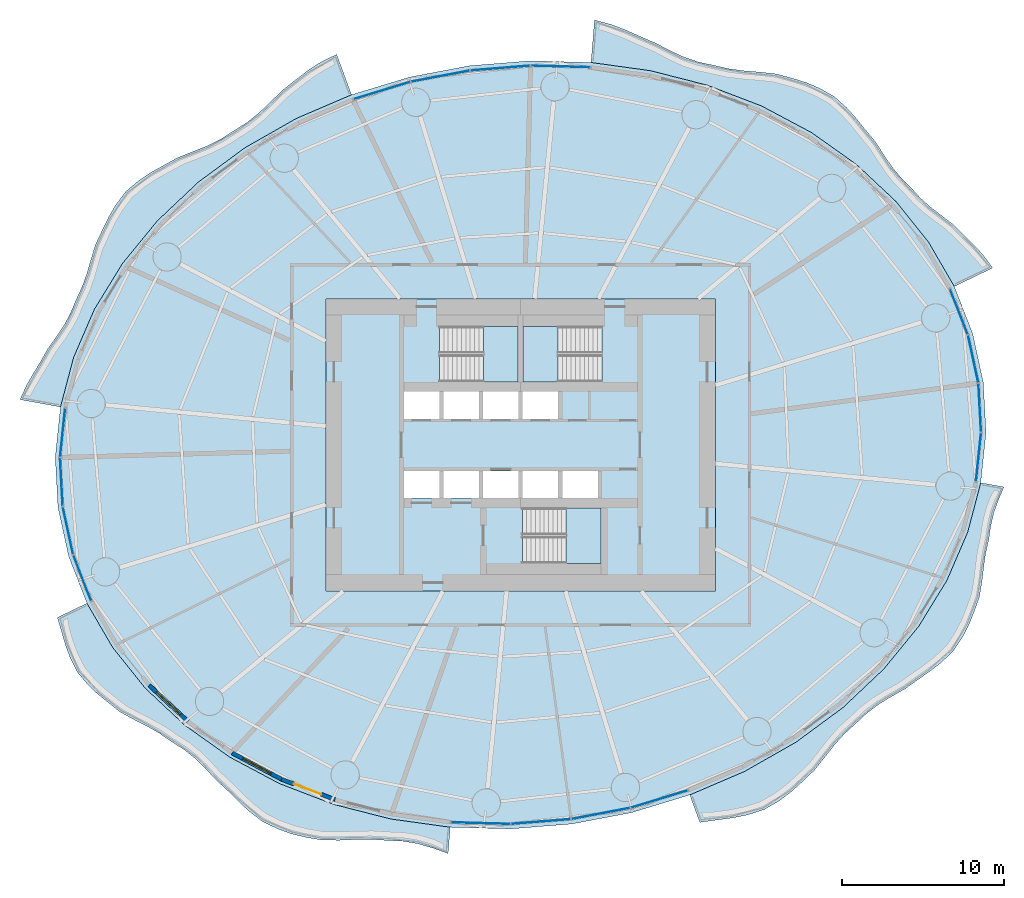
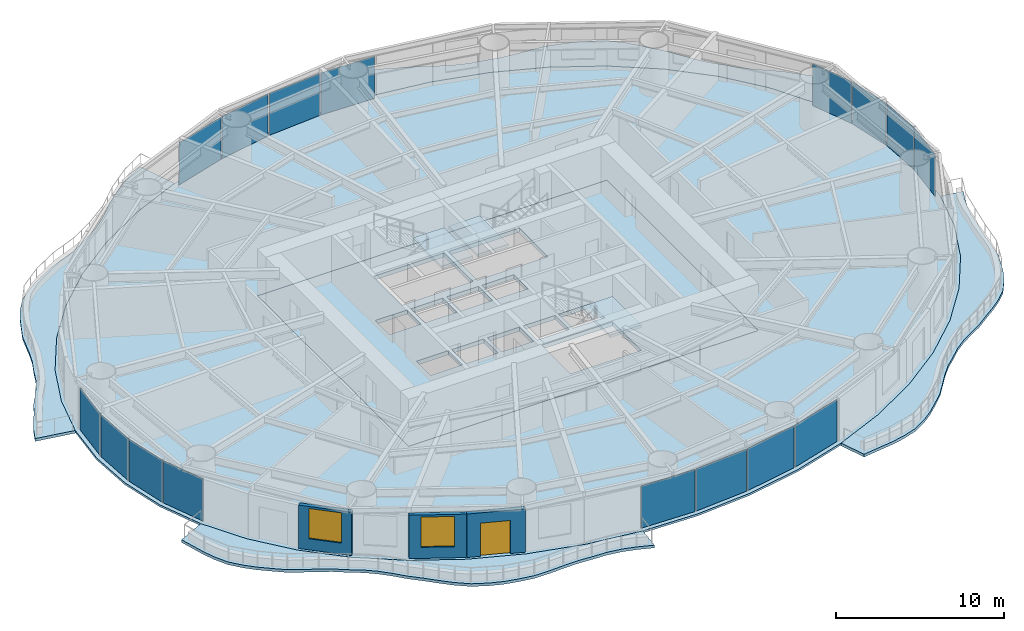
# One storey, part 7 of 16: 16 plates, 9 slabs, 3 walls, 2 windows, 1 door, 3 openings, 19 elements without a shape of their own.
"""IFC4 building model written with IfcOpenShell, lengths in metres."""

import ifcopenshell
import ifcopenshell.guid

model = None  # the IFC model being written
_history = None  # IfcOwnerHistory: only IFC2X3 demands one
_inside = {}  # id of a spatial element -> (the spatial element, [elements in it])
_under = {}  # id of a project, library or spatial element -> (it, [spatial elements below it])
_declared = {}  # id of a project -> (the project, [libraries it declares])
_typed = {}  # id of a type object -> (the type object, [elements of that type])
_made_of = {}  # id of a material, layer set ... -> (it, [elements and type objects made of it])


def new_model(schema):
    """Start an empty IFC model of exactly this schema.

    Asked for "IFC4X3", IfcOpenShell would pick the latest addendum, in which some entities
    have other attributes; the version numbers below select the first issue.
    IFC2X3 requires an IfcOwnerHistory on every rooted entity: one is made here for all.
    """
    global model, _history
    if schema == "IFC4X3":
        model = ifcopenshell.file(schema_version=(4, 3, 0, 0))
    else:
        model = ifcopenshell.file(schema=schema)
    _inside.clear()
    _under.clear()
    _declared.clear()
    _typed.clear()
    _made_of.clear()
    _history = None
    if model.schema == "IFC2X3":
        org = make("IfcOrganization", Name="unknown")
        user = make(
            "IfcPersonAndOrganization",
            ThePerson=make("IfcPerson", FamilyName="unknown"),
            TheOrganization=org,
        )
        app = make(
            "IfcApplication",
            ApplicationDeveloper=org,
            Version="unknown",
            ApplicationFullName="unknown",
            ApplicationIdentifier="unknown",
        )
        _history = make(
            "IfcOwnerHistory",
            OwningUser=user,
            OwningApplication=app,
            ChangeAction="ADDED",
            CreationDate=0,
        )
    return model


def make(cls, **values):
    """One entity of the class cls with the attributes given. An attribute that is None is left unset."""
    return model.create_entity(
        cls, **{name: value for name, value in values.items() if value is not None}
    )


def rooted(cls, **values):
    """An entity with a GlobalId (a new one), such as an element, a storey or a relation."""
    return make(cls, GlobalId=ifcopenshell.guid.new(), OwnerHistory=_history, **values)


def si_unit(unit_type, name, prefix=None):
    """IfcSIUnit, for example si_unit("LENGTHUNIT", "METRE", prefix="MILLI")."""
    return make("IfcSIUnit", UnitType=unit_type, Prefix=prefix, Name=name)


def assignment(units):
    """IfcUnitAssignment: the units of a project."""
    return None if units is None else make("IfcUnitAssignment", Units=units)


def point(xyz):
    """IfcCartesianPoint."""
    return None if xyz is None else make("IfcCartesianPoint", Coordinates=xyz)


def direction(xyz):
    """IfcDirection."""
    return None if xyz is None else make("IfcDirection", DirectionRatios=xyz)


def frame(location, z_axis=None, x_axis=None):
    """IfcAxis2Placement3D, a coordinate frame: its origin and axes. An axis left out is left unset."""
    return make(
        "IfcAxis2Placement3D",
        Location=point(location),
        Axis=direction(z_axis),
        RefDirection=direction(x_axis),
    )


def frame_2d(location, x_axis=None):
    """IfcAxis2Placement2D, a coordinate frame in the plane: its origin and x axis."""
    return make(
        "IfcAxis2Placement2D", Location=point(location), RefDirection=direction(x_axis)
    )


def origin():
    """The frame at (0, 0, 0) with its axes left unset."""
    return frame((0.0, 0.0, 0.0))


def origin_2d():
    """The frame at (0, 0) in the plane with its x axis left unset."""
    return frame_2d((0.0, 0.0))


def place(relative_to, where):
    """IfcLocalPlacement: puts the frame where relative to a parent placement (None: the world)."""
    return make(
        "IfcLocalPlacement", PlacementRelTo=relative_to, RelativePlacement=where
    )


def context(
    kind, dimensions, precision=None, world=None, true_north=None, identifier=None
):
    """IfcGeometricRepresentationContext, for example the 3D "Model" context."""
    return make(
        "IfcGeometricRepresentationContext",
        ContextIdentifier=identifier,
        ContextType=kind,
        CoordinateSpaceDimension=dimensions,
        Precision=precision,
        WorldCoordinateSystem=world,
        TrueNorth=true_north,
    )


def subcontext(parent, identifier, kind, view, scale=None):
    """IfcGeometricRepresentationSubContext, for example "Body" below "Model"."""
    return make(
        "IfcGeometricRepresentationSubContext",
        ContextIdentifier=identifier,
        ContextType=kind,
        ParentContext=parent,
        TargetScale=scale,
        TargetView=view,
    )


def project(units=None, contexts=None):
    """IfcProject with its units and contexts."""
    return rooted(
        "IfcProject",
        Name="project",
        RepresentationContexts=contexts,
        UnitsInContext=assignment(units),
    )


def spatial(cls, under=None, at=None, **own):
    """A site, building, storey or space (cls), placed at a placement, below another one or the project."""
    s = rooted(cls, ObjectPlacement=at, **own)
    if under is not None:
        _under.setdefault(under.id(), (under, []))[1].append(s)
    return s


def polyline(points):
    """IfcPolyline through the points."""
    return make("IfcPolyline", Points=[point(p) for p in points])


def profile(cls, at=None, kind="AREA", **sizes):
    """A parametric profile (cls). Its sizes go by their IFC names, for example OverallWidth=200.0."""
    return make(cls, ProfileType=kind, Position=at, **sizes)


def rectangle(**sizes):
    """IfcRectangleProfileDef."""
    return profile("IfcRectangleProfileDef", **sizes)


def outline(outer, holes=None, kind="AREA"):
    """IfcArbitraryClosedProfileDef: a profile drawn as a closed curve; with holes, ...WithVoids."""
    if holes is None:
        return make("IfcArbitraryClosedProfileDef", ProfileType=kind, OuterCurve=outer)
    return make(
        "IfcArbitraryProfileDefWithVoids",
        ProfileType=kind,
        OuterCurve=outer,
        InnerCurves=holes,
    )


def extrude(swept, where, along, depth):
    """IfcExtrudedAreaSolid: the profile swept, set in the frame where, extruded along a direction by depth."""
    return make(
        "IfcExtrudedAreaSolid",
        SweptArea=swept,
        Position=where,
        ExtrudedDirection=direction(along),
        Depth=depth,
    )


def shape(context_of_items, identifier, shape_type, items):
    """IfcShapeRepresentation: the items that make up one representation, for example the "Body"."""
    return make(
        "IfcShapeRepresentation",
        ContextOfItems=context_of_items,
        RepresentationIdentifier=identifier,
        RepresentationType=shape_type,
        Items=items,
    )


def material(Name=None, Category=None):
    """IfcMaterial."""
    return make("IfcMaterial", Name=Name, Category=Category)


def layer(
    of_material, thickness, ventilated=None, Name=None, Category=None, Priority=None
):
    """IfcMaterialLayer: one layer of a wall or slab, of a material (None: an air gap)."""
    return make(
        "IfcMaterialLayer",
        Material=of_material,
        LayerThickness=thickness,
        IsVentilated=ventilated,
        Name=Name,
        Category=Category,
        Priority=Priority,
    )


def layer_set(layers, Name=None):
    """IfcMaterialLayerSet."""
    return make("IfcMaterialLayerSet", MaterialLayers=layers, LayerSetName=Name)


def made_of(thing, what):
    """Note that an element or type object is made of a material, layer set ...; save() writes the relation."""
    if what is not None:
        _made_of.setdefault(what.id(), (what, []))[1].append(thing)
    return thing


def type_object(cls, material=None, **own):
    """A type object (cls), such as IfcWallType, which elements share."""
    return made_of(rooted(cls, **own), material)


def element(
    cls,
    number,
    at=None,
    inside=None,
    cuts=None,
    type_object=None,
    material=None,
    context=None,
    identifier="Body",
    shape_type=None,
    held_by="IfcProductDefinitionShape",
    body=None,
    shapes=None,
    **own,
):
    """One element of the class cls, such as IfcWall. Its Tag is "e" and its number.

    at: its placement. inside: the storey or other place that contains it. cuts: it is an
    opening in that element (IfcRelVoidsElement). A single representation is given by context,
    identifier, shape_type and body (its items); several are given by shapes. held_by: the class
    of the entity that holds the representations. save() writes the other relations.
    """
    e = rooted(cls, Tag="e%d" % number, ObjectPlacement=at, **own)
    if body is not None:
        shapes = [shape(context, identifier, shape_type, body)]
    if shapes is not None:
        e.Representation = make(held_by, Representations=shapes)
    if inside is not None:
        _inside.setdefault(inside.id(), (inside, []))[1].append(e)
    if cuts is not None:
        rooted(
            "IfcRelVoidsElement", RelatingBuildingElement=cuts, RelatedOpeningElement=e
        )
    if type_object is not None:
        _typed.setdefault(type_object.id(), (type_object, []))[1].append(e)
    return made_of(e, material)


def fill(opening, filler):
    """IfcRelFillsElement: the door or window that sits in an opening."""
    return rooted(
        "IfcRelFillsElement",
        RelatingOpeningElement=opening,
        RelatedBuildingElement=filler,
    )


def aggregate(whole, parts):
    """IfcRelAggregates: a whole, such as a stair, and the parts it consists of."""
    return rooted("IfcRelAggregates", RelatingObject=whole, RelatedObjects=parts)


def save(model, path):
    """Write the relations noted so far, then the file.

    IfcRelAggregates (storeys below a building ...), IfcRelContainedInSpatialStructure (elements
    in a storey), IfcRelDefinesByType, IfcRelAssociatesMaterial and IfcRelDeclares: one each for
    every whole, place, type object, material and project.
    """
    for whole, parts in _under.values():
        aggregate(whole, parts)
    for where, things in _inside.values():
        rooted(
            "IfcRelContainedInSpatialStructure",
            RelatedElements=things,
            RelatingStructure=where,
        )
    for kind, things in _typed.values():
        rooted("IfcRelDefinesByType", RelatedObjects=things, RelatingType=kind)
    for what, things in _made_of.values():
        rooted("IfcRelAssociatesMaterial", RelatedObjects=things, RelatingMaterial=what)
    for by, libraries in _declared.values():
        rooted("IfcRelDeclares", RelatingContext=by, RelatedDefinitions=libraries)
    model.write(path)


model = new_model("IFC4")

# Units and contexts
model_context = context("Model", 3, precision=1e-05, world=origin(), true_north=direction((0.0, 1.0)))
body_context = subcontext(model_context, "Body", "Model", "MODEL_VIEW")
ifc_project = project(units=[si_unit("LENGTHUNIT", "METRE"), si_unit("AREAUNIT", "SQUARE_METRE"), si_unit("VOLUMEUNIT", "CUBIC_METRE"), si_unit("PLANEANGLEUNIT", "RADIAN"), si_unit("MASSUNIT", "GRAM", prefix="KILO")], contexts=[model_context])

# Site, building, storey
site_placement = place(None, origin())
site = spatial("IfcSite", under=ifc_project, at=site_placement, CompositionType="ELEMENT")
building_placement = place(site_placement, origin())
building = spatial("IfcBuilding", under=site, at=building_placement, Name="Vermilion Reach Broadcast Tower", CompositionType="ELEMENT")
storey_placement = place(building_placement, frame((0.0, 0.0, 65.60009765625)))
storey = spatial("IfcBuildingStorey", under=building, at=storey_placement, Name="L13", CompositionType="ELEMENT", Elevation=65.60009765625)

# Slabs
ifc_material_1 = material(Name="Concrete C40/50", Category="concrete")
ifc_layer_1 = layer(ifc_material_1, 0.199951171875)
ifc_layer_set_1 = layer_set([ifc_layer_1], Name="Balcony slab 200")
slab_type_1 = type_object("IfcSlabType", Name="Balcony slab 200", PredefinedType="FLOOR", material=ifc_layer_set_1)
placement_1 = place(storey_placement, frame((0.0, 0.0, -0.2001953125)))
element("IfcSlab", 1, at=placement_1, inside=storey, type_object=slab_type_1, Name="Balcony slab L13 group 1", PredefinedType="FLOOR", context=body_context, shape_type="SweptSolid", body=[
    extrude(outline(polyline([(20.718505859375, 9.758544921875), (19.1298828125, 12.490234375), (17.111083984375, 15.008056640625), (14.697021484375, 17.269287109375), (11.9287109375, 19.23486328125), (8.853759765625, 20.871337890625), (5.524658203125, 22.15087890625), (1.998291015625, 23.05126953125), (-1.664794921875, 23.55712890625), (-1.44873046875, 26.1748046875), (-0.407958984375, 25.8994140625), (0.47802734375, 25.557861328125), (1.35693359375, 25.164306640625), (2.3310546875, 24.748779296875), (3.248046875, 24.267822265625), (4.088134765625, 23.88037109375), (4.95263671875, 23.588134765625), (5.9169921875, 23.38232421875), (6.869384765625, 23.164306640625), (7.779296875, 23.046142578125), (8.705322265625, 22.970703125), (9.758056640625, 22.853515625), (10.752197265625, 22.5849609375), (11.598388671875, 22.3212890625), (12.4033203125, 21.97998046875), (13.310302734375, 21.4716796875), (14.073486328125, 20.7890625), (14.6552734375, 20.142333984375), (15.2080078125, 19.454833984375), (15.851318359375, 18.681884765625), (16.384521484375, 17.861328125), (16.85986328125, 17.1591796875), (17.3837890625, 16.5087890625), (18.031494140625, 15.8603515625), (18.636474609375, 15.19677734375), (19.2470703125, 14.65234375), (19.906005859375, 14.146484375), (20.682373046875, 13.55517578125), (21.35693359375, 12.87158203125), (21.9443359375, 12.299072265625), (22.4921875, 11.703857421875), (23.0849609375, 10.900146484375), (20.718505859375, 9.758544921875)])), origin(), (0.0, 0.0, 1.0), 0.2001953125),
])
element("IfcSlab", 2, at=placement_1, inside=storey, type_object=slab_type_1, Name="Balcony slab L13 group 2", PredefinedType="FLOOR", context=body_context, shape_type="SweptSolid", body=[
    extrude(outline(polyline([(-16.420166015625, 21.5673828125), (-19.818603515625, 20.109130859375), (-22.98046875, 18.306884765625), (-25.851806640625, 16.19140625), (-28.38330078125, 13.798828125), (-30.531982421875, 11.170166015625), (-32.260986328125, 8.350341796875), (-33.54052734375, 5.387451171875), (-34.348876953125, 2.332763671875), (-36.843505859375, 2.790283203125), (-36.4296875, 3.700439453125), (-36.019287109375, 4.408935546875), (-35.58642578125, 5.111572265625), (-35.12646484375, 5.9365234375), (-34.569091796875, 6.710693359375), (-34.115478515625, 7.3935546875), (-33.732177734375, 8.10693359375), (-33.3916015625, 8.937255859375), (-33.0, 9.773193359375), (-32.718994140625, 10.571044921875), (-32.48193359375, 11.3955078125), (-32.19140625, 12.348876953125), (-31.7578125, 13.268310546875), (-31.376953125, 14.05322265625), (-30.940673828125, 14.792724609375), (-30.3271484375, 15.607666015625), (-29.531494140625, 16.281494140625), (-28.796630859375, 16.771728515625), (-28.01318359375, 17.210693359375), (-27.115478515625, 17.703857421875), (-26.142578125, 18.08935546875), (-25.28857421875, 18.433349609375), (-24.47705078125, 18.835205078125), (-23.663330078125, 19.357177734375), (-22.830810546875, 19.882080078125), (-22.112548828125, 20.459228515625), (-21.43359375, 21.105224609375), (-20.681640625, 21.843994140625), (-19.840576171875, 22.505126953125), (-19.083251953125, 23.0849609375), (-18.294677734375, 23.591552734375), (-17.331298828125, 24.06005859375), (-16.420166015625, 21.5673828125)])), origin(), (0.0, 0.0, 1.0), 0.2001953125),
])
element("IfcSlab", 3, at=placement_1, inside=storey, type_object=slab_type_1, Name="Balcony slab L13 group 3", PredefinedType="FLOOR", context=body_context, shape_type="SweptSolid", body=[
    extrude(outline(polyline([(-32.718505859375, -9.758544921875), (-31.1298828125, -12.490234375), (-29.111083984375, -15.008056640625), (-26.697021484375, -17.269287109375), (-23.9287109375, -19.23486328125), (-20.853759765625, -20.871337890625), (-17.524658203125, -22.15087890625), (-13.998291015625, -23.05126953125), (-10.335205078125, -23.55712890625), (-10.46923828125, -25.181640625), (-11.44384765625, -24.8271484375), (-12.341552734375, -24.570556640625), (-13.254150390625, -24.4208984375), (-14.257080078125, -24.371337890625), (-15.257080078125, -24.3037109375), (-16.2001953125, -24.319091796875), (-17.14990234375, -24.361083984375), (-18.226806640625, -24.354736328125), (-19.25732421875, -24.174072265625), (-20.1318359375, -23.963623046875), (-20.969970703125, -23.658935546875), (-21.916748046875, -23.201171875), (-22.7421875, -22.56591796875), (-23.400390625, -21.94921875), (-24.045654296875, -21.307861328125), (-24.78759765625, -20.62548828125), (-25.447021484375, -19.906982421875), (-26.062255859375, -19.30712890625), (-26.728759765625, -18.77978515625), (-27.52197265625, -18.27880859375), (-28.28173828125, -17.75146484375), (-29.0224609375, -17.33251953125), (-29.790771484375, -16.943115234375), (-30.676025390625, -16.45703125), (-31.44921875, -15.848388671875), (-32.08935546875, -15.32763671875), (-32.674560546875, -14.7626953125), (-33.318603515625, -13.99169921875), (-33.760498046875, -13.106201171875), (-34.038818359375, -12.35400390625), (-34.266357421875, -11.57275390625), (-34.542236328125, -10.63818359375), (-32.718505859375, -9.758544921875)])), origin(), (0.0, 0.0, 1.0), 0.2001953125),
])
element("IfcSlab", 4, at=placement_1, inside=storey, type_object=slab_type_1, Name="Balcony slab L13 group 4", PredefinedType="FLOOR", context=body_context, shape_type="SweptSolid", body=[
    extrude(outline(polyline([(4.420166015625, -21.5673828125), (7.818603515625, -20.109130859375), (10.98046875, -18.306884765625), (13.851806640625, -16.19140625), (16.38330078125, -13.798828125), (18.531982421875, -11.170166015625), (20.260986328125, -8.350341796875), (21.54052734375, -5.387451171875), (22.348876953125, -2.332763671875), (23.779541015625, -2.594970703125), (23.417236328125, -3.4326171875), (23.15576171875, -4.180419921875), (22.9736328125, -4.949462890625), (22.84228515625, -5.838134765625), (22.639892578125, -6.7412109375), (22.523681640625, -7.56982421875), (22.427978515625, -8.4072265625), (22.26171875, -9.388916015625), (21.919921875, -10.33740234375), (21.6064453125, -11.115234375), (21.22265625, -11.849853515625), (20.669677734375, -12.6884765625), (19.925048828125, -13.40478515625), (19.2353515625, -13.9375), (18.509521484375, -14.4404296875), (17.699951171875, -15.02392578125), (16.81689453125, -15.525390625), (16.056640625, -15.98876953125), (15.353515625, -16.512451171875), (14.661376953125, -17.160400390625), (13.939208984375, -17.813232421875), (13.33154296875, -18.49169921875), (12.759765625, -19.218994140625), (12.10546875, -20.037109375), (11.33837890625, -20.772216796875), (10.6474609375, -21.397705078125), (9.912841796875, -21.946044921875), (8.99609375, -22.475830078125), (7.968994140625, -22.80419921875), (7.04150390625, -22.987548828125), (6.089599609375, -23.11328125), (5.03857421875, -23.25927734375), (4.420166015625, -21.5673828125)])), origin(), (0.0, 0.0, 1.0), 0.2001953125),
])
ifc_material_2 = material(Name="Concrete C40", Category="concrete")
ifc_layer_2 = layer(ifc_material_2, 0.300048828125)
ifc_layer_set_2 = layer_set([ifc_layer_2], Name="Core floor slab 300 mm Concrete C40")
slab_type_2 = type_object("IfcSlabType", Name="Core floor slab 300 mm Concrete C40", PredefinedType="FLOOR", material=ifc_layer_set_2)
slab_5_placement = place(storey_placement, frame((0.0, 0.0, -0.300048828125)))
element("IfcSlab", 5, at=slab_5_placement, inside=storey, type_object=slab_type_2, Name="L13 core floor", PredefinedType="FLOOR", context=body_context, shape_type="SweptSolid", body=[
    extrude(outline(polyline([(-18.0, -9.0), (6.0, -9.0), (6.0, 9.0), (-18.0, 9.0), (-18.0, -9.0)]), holes=[polyline([(-13.199951171875, 1.60009765625), (-11.00830078125, 1.60009765625), (-11.00830078125, 3.280029296875), (-13.199951171875, 3.280029296875), (-13.199951171875, 1.60009765625)]), polyline([(-10.75830078125, 1.60009765625), (-8.566650390625, 1.60009765625), (-8.566650390625, 3.280029296875), (-10.75830078125, 3.280029296875), (-10.75830078125, 1.60009765625)]), polyline([(-8.316650390625, 1.60009765625), (-6.125, 1.60009765625), (-6.125, 3.280029296875), (-8.316650390625, 3.280029296875), (-8.316650390625, 1.60009765625)]), polyline([(-5.875, 1.60009765625), (-3.683349609375, 1.60009765625), (-3.683349609375, 3.280029296875), (-5.875, 3.280029296875), (-5.875, 1.60009765625)]), polyline([(-13.199951171875, -3.280029296875), (-11.00830078125, -3.280029296875), (-11.00830078125, -1.60009765625), (-13.199951171875, -1.60009765625), (-13.199951171875, -3.280029296875)]), polyline([(-10.75830078125, -3.280029296875), (-8.566650390625, -3.280029296875), (-8.566650390625, -1.60009765625), (-10.75830078125, -1.60009765625), (-10.75830078125, -3.280029296875)]), polyline([(-8.316650390625, -3.280029296875), (-6.125, -3.280029296875), (-6.125, -1.60009765625), (-8.316650390625, -1.60009765625), (-8.316650390625, -3.280029296875)]), polyline([(-5.875, -3.280029296875), (-3.683349609375, -3.280029296875), (-3.683349609375, -1.60009765625), (-5.875, -1.60009765625), (-5.875, -3.280029296875)]), polyline([(-3.433349609375, -3.280029296875), (-1.24169921875, -3.280029296875), (-1.24169921875, -1.60009765625), (-3.433349609375, -1.60009765625), (-3.433349609375, -3.280029296875)]), polyline([(-10.999267578125, 3.8798828125), (-6.14990234375, 3.8798828125), (-6.14990234375, 7.300048828125), (-10.999267578125, 7.300048828125), (-10.999267578125, 3.8798828125)]), polyline([(-1.000732421875, 7.300048828125), (-5.85009765625, 7.300048828125), (-5.85009765625, 3.8798828125), (-1.000732421875, 3.8798828125), (-1.000732421875, 7.300048828125)]), polyline([(-5.8994140625, -7.300048828125), (-1.050048828125, -7.300048828125), (-1.050048828125, -3.8798828125), (-5.8994140625, -3.8798828125), (-5.8994140625, -7.300048828125)])]), origin(), (0.0, 0.0, 1.0), 0.300048828125),
])

# Stair, slab
ifc_material_3 = material(Name="Concrete C40", Category="concrete")
stair_type = type_object("IfcStairType", Name="Exit stair RC 22 risers 168 mm", PredefinedType="HALF_TURN_STAIR", material=ifc_material_3)
placement_2 = place(storey_placement, origin())
stair_1 = element("IfcStair", 6, at=placement_2, inside=storey, type_object=stair_type, Name="L13 Exit stair ST1", PredefinedType="HALF_TURN_STAIR")
ifc_material_4 = material(Name="Concrete C40", Category="concrete")
ifc_layer_3 = layer(ifc_material_4, 0.199951171875)
ifc_layer_set_3 = layer_set([ifc_layer_3], Name="Exit stair landing Concrete C40")
slab_type_3 = type_object("IfcSlabType", Name="Exit stair landing Concrete C40", PredefinedType="LANDING", material=ifc_layer_set_3)
placement_3 = place(storey_placement, frame((0.0, 0.0, 1.64990234375)))
slab_6 = element("IfcSlab", 7, at=placement_3, type_object=slab_type_3, Name="ST1 landing 1", PredefinedType="LANDING", context=body_context, shape_type="SweptSolid", body=[
    extrude(outline(polyline([(-8.300048828125, 3.8798828125), (-6.14990234375, 3.8798828125), (-6.14990234375, 7.300048828125), (-8.300048828125, 7.300048828125), (-8.300048828125, 3.8798828125)])), origin(), (0.0, 0.0, 1.0), 0.199951171875),
])
aggregate(stair_1, [slab_6])

stair_2 = element("IfcStair", 8, at=placement_2, inside=storey, type_object=stair_type, Name="L13 Exit stair ST2", PredefinedType="HALF_TURN_STAIR")
slab_7 = element("IfcSlab", 9, at=placement_3, type_object=slab_type_3, Name="ST2 landing 1", PredefinedType="LANDING", context=body_context, shape_type="SweptSolid", body=[
    extrude(outline(polyline([(-3.699951171875, 7.300048828125), (-5.85009765625, 7.300048828125), (-5.85009765625, 3.8798828125), (-3.699951171875, 3.8798828125), (-3.699951171875, 7.300048828125)])), origin(), (0.0, 0.0, 1.0), 0.199951171875),
])
aggregate(stair_2, [slab_7])

stair_3 = element("IfcStair", 10, at=placement_2, inside=storey, type_object=stair_type, Name="L13 Exit stair ST3", PredefinedType="HALF_TURN_STAIR")
slab_8 = element("IfcSlab", 11, at=placement_3, type_object=slab_type_3, Name="ST3 landing 1", PredefinedType="LANDING", context=body_context, shape_type="SweptSolid", body=[
    extrude(outline(polyline([(-3.199951171875, -7.300048828125), (-1.050048828125, -7.300048828125), (-1.050048828125, -3.8798828125), (-3.199951171875, -3.8798828125), (-3.199951171875, -7.300048828125)])), origin(), (0.0, 0.0, 1.0), 0.199951171875),
])
aggregate(stair_3, [slab_8])

# Slab
ifc_material_5 = material(Name="Concrete C40", Category="concrete")
ifc_layer_4 = layer(ifc_material_5, 0.14990234375)
ifc_layer_set_4 = layer_set([ifc_layer_4], Name="Floor slab Concrete C40 composite 150")
slab_type_4 = type_object("IfcSlabType", Name="Floor slab Concrete C40 composite 150", PredefinedType="FLOOR", material=ifc_layer_set_4)
slab_9_placement = place(storey_placement, frame((0.0, 0.0, -0.150146484375)))
element("IfcSlab", 12, at=slab_9_placement, inside=storey, type_object=slab_type_4, Name="Floor slab L13", PredefinedType="FLOOR", context=body_context, shape_type="SweptSolid", body=[
    extrude(outline(polyline([(22.505126953125, 3.843994140625), (21.85009765625, 6.85986328125), (20.718505859375, 9.758544921875), (19.1298828125, 12.490234375), (17.111083984375, 15.008056640625), (14.697021484375, 17.269287109375), (11.9287109375, 19.23486328125), (8.853759765625, 20.871337890625), (5.524658203125, 22.15087890625), (1.998291015625, 23.05126953125), (-1.664794921875, 23.55712890625), (-5.40234375, 23.66015625), (-9.14990234375, 23.358154296875), (-12.843505859375, 22.65673828125), (-16.420166015625, 21.5673828125), (-19.818603515625, 20.109130859375), (-22.98046875, 18.306884765625), (-25.851806640625, 16.19140625), (-28.38330078125, 13.798828125), (-30.531982421875, 11.170166015625), (-32.260986328125, 8.350341796875), (-33.54052734375, 5.387451171875), (-34.348876953125, 2.332763671875), (-34.67236328125, -0.76220703125), (-34.505126953125, -3.843994140625), (-33.85009765625, -6.85986328125), (-32.718505859375, -9.758544921875), (-31.1298828125, -12.490234375), (-29.111083984375, -15.008056640625), (-26.697021484375, -17.269287109375), (-23.9287109375, -19.23486328125), (-20.853759765625, -20.871337890625), (-17.524658203125, -22.15087890625), (-13.998291015625, -23.05126953125), (-10.335205078125, -23.55712890625), (-6.59765625, -23.66015625), (-2.85009765625, -23.358154296875), (0.843505859375, -22.65673828125), (4.420166015625, -21.5673828125), (7.818603515625, -20.109130859375), (10.98046875, -18.306884765625), (13.851806640625, -16.19140625), (16.38330078125, -13.798828125), (18.531982421875, -11.170166015625), (20.260986328125, -8.350341796875), (21.54052734375, -5.387451171875), (22.348876953125, -2.332763671875), (22.67236328125, 0.76220703125), (22.505126953125, 3.843994140625)]), holes=[polyline([(-18.0, -9.0), (6.0, -9.0), (6.0, 9.0), (-18.0, 9.0), (-18.0, -9.0)])]), origin(), (0.0, 0.0, 1.0), 0.150146484375),
])

# Curtain wall, plate
ifc_material_6 = material(Name="Low-e laminated clear glass in aluminium frame", Category="aluminium")
curtain_wall_type = type_object("IfcCurtainWallType", Name="Slot curtain wall", PredefinedType="NOTDEFINED", material=ifc_material_6)
curtain_wall_1 = element("IfcCurtainWall", 13, at=placement_2, inside=storey, type_object=curtain_wall_type, Name="Slot curtain wall L13 46", PredefinedType="NOTDEFINED")
ifc_material_7 = material(Name="Low-e laminated clear glass", Category="glass")
ifc_layer_5 = layer(ifc_material_7, 0.028076171875)
ifc_layer_set_5 = layer_set([ifc_layer_5], Name="Slot glass panel")
plate_type = type_object("IfcPlateType", Name="Slot glass panel", PredefinedType="CURTAIN_PANEL", material=ifc_layer_set_5)
plate_1_placement = place(storey_placement, frame((22.213134765625, -0.75439453125, 0.0), z_axis=(0.0, 0.0, 1.0), x_axis=(0.103912541932, 0.99458643849, 0.0)))
plate_1 = element("IfcPlate", 14, at=plate_1_placement, type_object=plate_type, Name="Slot glass panel L13 46", PredefinedType="CURTAIN_PANEL", context=body_context, shape_type="SweptSolid", body=[
    extrude(rectangle(XDim=2.984619140625, YDim=0.028076171875, at=origin_2d()), origin(), (0.0, 0.0, 1.0), 3.050048828125),
])
aggregate(curtain_wall_1, [plate_1])

curtain_wall_2 = element("IfcCurtainWall", 15, at=placement_2, inside=storey, type_object=curtain_wall_type, Name="Slot curtain wall L13 47", PredefinedType="NOTDEFINED")
plate_2_placement = place(storey_placement, frame((22.2900390625, 2.286865234375, 0.0), z_axis=(0.0, 0.0, 1.0), x_axis=(-0.05419659539, 0.998530284492, 0.0)))
plate_2 = element("IfcPlate", 16, at=plate_2_placement, type_object=plate_type, Name="Slot glass panel L13 47", PredefinedType="CURTAIN_PANEL", context=body_context, shape_type="SweptSolid", body=[
    extrude(rectangle(XDim=2.95849609375, YDim=0.028076171875, at=origin_2d()), origin(), (0.0, 0.0, 1.0), 3.050048828125),
])
aggregate(curtain_wall_2, [plate_2])

curtain_wall_3 = element("IfcCurtainWall", 17, at=placement_2, inside=storey, type_object=curtain_wall_type, Name="Slot curtain wall L13 00", PredefinedType="NOTDEFINED")
plate_3_placement = place(storey_placement, frame((21.88525390625, 5.28857421875, 0.0), z_axis=(0.0, 0.0, 1.0), x_axis=(-0.21223289021, 0.977219115814, 0.0)))
plate_3 = element("IfcPlate", 18, at=plate_3_placement, type_object=plate_type, Name="Slot glass panel L13 00", PredefinedType="CURTAIN_PANEL", context=body_context, shape_type="SweptSolid", body=[
    extrude(rectangle(XDim=2.95849609375, YDim=0.028076171875, at=origin_2d()), origin(), (0.0, 0.0, 1.0), 3.050048828125),
])
aggregate(curtain_wall_3, [plate_3])

curtain_wall_4 = element("IfcCurtainWall", 19, at=placement_2, inside=storey, type_object=curtain_wall_type, Name="Slot curtain wall L13 01", PredefinedType="NOTDEFINED")
plate_4_placement = place(storey_placement, frame((21.005615234375, 8.200439453125, 0.0), z_axis=(0.0, 0.0, 1.0), x_axis=(-0.363650069111, 0.931535628538, 0.0)))
plate_4 = element("IfcPlate", 20, at=plate_4_placement, type_object=plate_type, Name="Slot glass panel L13 01", PredefinedType="CURTAIN_PANEL", context=body_context, shape_type="SweptSolid", body=[
    extrude(rectangle(XDim=2.984619140625, YDim=0.028076171875, at=origin_2d()), origin(), (0.0, 0.0, 1.0), 3.050048828125),
])
aggregate(curtain_wall_4, [plate_4])

curtain_wall_5 = element("IfcCurtainWall", 21, at=placement_2, inside=storey, type_object=curtain_wall_type, Name="Slot curtain wall L13 10", PredefinedType="NOTDEFINED")
plate_5_placement = place(storey_placement, frame((-3.5419921875, 23.309326171875, 0.0), z_axis=(0.0, 0.0, 1.0), x_axis=(-0.999620983374, 0.027529794754, 0.0)))
plate_5 = element("IfcPlate", 22, at=plate_5_placement, type_object=plate_type, Name="Slot glass panel L13 10", PredefinedType="CURTAIN_PANEL", context=body_context, shape_type="SweptSolid", body=[
    extrude(rectangle(XDim=3.626220703125, YDim=0.028076171875, at=origin_2d()), origin(), (0.0, 0.0, 1.0), 3.050048828125),
])
aggregate(curtain_wall_5, [plate_5])

curtain_wall_6 = element("IfcCurtainWall", 23, at=placement_2, inside=storey, type_object=curtain_wall_type, Name="Slot curtain wall L13 11", PredefinedType="NOTDEFINED")
plate_6_placement = place(storey_placement, frame((-7.251953125, 23.210693359375, 0.0), z_axis=(0.0, 0.0, 1.0), x_axis=(-0.996770942419, -0.080297499025, 0.0)))
plate_6 = element("IfcPlate", 24, at=plate_6_placement, type_object=plate_type, Name="Slot glass panel L13 11", PredefinedType="CURTAIN_PANEL", context=body_context, shape_type="SweptSolid", body=[
    extrude(rectangle(XDim=3.6474609375, YDim=0.028076171875, at=origin_2d()), origin(), (0.0, 0.0, 1.0), 3.050048828125),
])
aggregate(curtain_wall_6, [plate_6])

curtain_wall_7 = element("IfcCurtainWall", 25, at=placement_2, inside=storey, type_object=curtain_wall_type, Name="Slot curtain wall L13 12", PredefinedType="NOTDEFINED")
plate_7_placement = place(storey_placement, frame((-10.940673828125, 22.713134765625, 0.0), z_axis=(0.0, 0.0, 1.0), x_axis=(-0.982436283901, -0.186598360321, 0.0)))
plate_7 = element("IfcPlate", 26, at=plate_7_placement, type_object=plate_type, Name="Slot glass panel L13 12", PredefinedType="CURTAIN_PANEL", context=body_context, shape_type="SweptSolid", body=[
    extrude(rectangle(XDim=3.6474609375, YDim=0.028076171875, at=origin_2d()), origin(), (0.0, 0.0, 1.0), 3.050048828125),
])
aggregate(curtain_wall_7, [plate_7])

curtain_wall_8 = element("IfcCurtainWall", 27, at=placement_2, inside=storey, type_object=curtain_wall_type, Name="Slot curtain wall L13 13", PredefinedType="NOTDEFINED")
plate_8_placement = place(storey_placement, frame((-14.54443359375, 21.825439453125, 0.0), z_axis=(0.0, 0.0, 1.0), x_axis=(-0.956622935549, -0.291328953559, 0.0)))
plate_8 = element("IfcPlate", 28, at=plate_8_placement, type_object=plate_type, Name="Slot glass panel L13 13", PredefinedType="CURTAIN_PANEL", context=body_context, shape_type="SweptSolid", body=[
    extrude(rectangle(XDim=3.626220703125, YDim=0.028076171875, at=origin_2d()), origin(), (0.0, 0.0, 1.0), 3.050048828125),
])
aggregate(curtain_wall_8, [plate_8])

curtain_wall_9 = element("IfcCurtainWall", 29, at=placement_2, inside=storey, type_object=curtain_wall_type, Name="Slot curtain wall L13 22", PredefinedType="NOTDEFINED")
plate_9_placement = place(storey_placement, frame((-34.213134765625, 0.75439453125, 0.0), z_axis=(0.0, 0.0, 1.0), x_axis=(-0.103912541932, -0.99458643849, 0.0)))
plate_9 = element("IfcPlate", 30, at=plate_9_placement, type_object=plate_type, Name="Slot glass panel L13 22", PredefinedType="CURTAIN_PANEL", context=body_context, shape_type="SweptSolid", body=[
    extrude(rectangle(XDim=2.984619140625, YDim=0.028076171875, at=origin_2d()), origin(), (0.0, 0.0, 1.0), 3.050048828125),
])
aggregate(curtain_wall_9, [plate_9])

curtain_wall_10 = element("IfcCurtainWall", 31, at=placement_2, inside=storey, type_object=curtain_wall_type, Name="Slot curtain wall L13 23", PredefinedType="NOTDEFINED")
plate_10_placement = place(storey_placement, frame((-34.2900390625, -2.286865234375, 0.0), z_axis=(0.0, 0.0, 1.0), x_axis=(0.05419659539, -0.998530284492, 0.0)))
plate_10 = element("IfcPlate", 32, at=plate_10_placement, type_object=plate_type, Name="Slot glass panel L13 23", PredefinedType="CURTAIN_PANEL", context=body_context, shape_type="SweptSolid", body=[
    extrude(rectangle(XDim=2.95849609375, YDim=0.028076171875, at=origin_2d()), origin(), (0.0, 0.0, 1.0), 3.050048828125),
])
aggregate(curtain_wall_10, [plate_10])

curtain_wall_11 = element("IfcCurtainWall", 33, at=placement_2, inside=storey, type_object=curtain_wall_type, Name="Slot curtain wall L13 24", PredefinedType="NOTDEFINED")
plate_11_placement = place(storey_placement, frame((-33.88525390625, -5.28857421875, 0.0), z_axis=(0.0, 0.0, 1.0), x_axis=(0.21223289021, -0.977219115814, 0.0)))
plate_11 = element("IfcPlate", 34, at=plate_11_placement, type_object=plate_type, Name="Slot glass panel L13 24", PredefinedType="CURTAIN_PANEL", context=body_context, shape_type="SweptSolid", body=[
    extrude(rectangle(XDim=2.95849609375, YDim=0.028076171875, at=origin_2d()), origin(), (0.0, 0.0, 1.0), 3.050048828125),
])
aggregate(curtain_wall_11, [plate_11])

curtain_wall_12 = element("IfcCurtainWall", 35, at=placement_2, inside=storey, type_object=curtain_wall_type, Name="Slot curtain wall L13 25", PredefinedType="NOTDEFINED")
plate_12_placement = place(storey_placement, frame((-33.005615234375, -8.200439453125, 0.0), z_axis=(0.0, 0.0, 1.0), x_axis=(0.363650069111, -0.931535628538, 0.0)))
plate_12 = element("IfcPlate", 36, at=plate_12_placement, type_object=plate_type, Name="Slot glass panel L13 25", PredefinedType="CURTAIN_PANEL", context=body_context, shape_type="SweptSolid", body=[
    extrude(rectangle(XDim=2.984619140625, YDim=0.028076171875, at=origin_2d()), origin(), (0.0, 0.0, 1.0), 3.050048828125),
])
aggregate(curtain_wall_12, [plate_12])

curtain_wall_13 = element("IfcCurtainWall", 37, at=placement_2, inside=storey, type_object=curtain_wall_type, Name="Slot curtain wall L13 34", PredefinedType="NOTDEFINED")
plate_13_placement = place(storey_placement, frame((-8.4580078125, -23.309326171875, 0.0), z_axis=(0.0, 0.0, 1.0), x_axis=(0.999620983374, -0.027529794754, 0.0)))
plate_13 = element("IfcPlate", 38, at=plate_13_placement, type_object=plate_type, Name="Slot glass panel L13 34", PredefinedType="CURTAIN_PANEL", context=body_context, shape_type="SweptSolid", body=[
    extrude(rectangle(XDim=3.626220703125, YDim=0.028076171875, at=origin_2d()), origin(), (0.0, 0.0, 1.0), 3.050048828125),
])
aggregate(curtain_wall_13, [plate_13])

curtain_wall_14 = element("IfcCurtainWall", 39, at=placement_2, inside=storey, type_object=curtain_wall_type, Name="Slot curtain wall L13 35", PredefinedType="NOTDEFINED")
plate_14_placement = place(storey_placement, frame((-4.748046875, -23.210693359375, 0.0), z_axis=(0.0, 0.0, 1.0), x_axis=(0.996770942419, 0.080297499025, 0.0)))
plate_14 = element("IfcPlate", 40, at=plate_14_placement, type_object=plate_type, Name="Slot glass panel L13 35", PredefinedType="CURTAIN_PANEL", context=body_context, shape_type="SweptSolid", body=[
    extrude(rectangle(XDim=3.6474609375, YDim=0.028076171875, at=origin_2d()), origin(), (0.0, 0.0, 1.0), 3.050048828125),
])
aggregate(curtain_wall_14, [plate_14])

curtain_wall_15 = element("IfcCurtainWall", 41, at=placement_2, inside=storey, type_object=curtain_wall_type, Name="Slot curtain wall L13 36", PredefinedType="NOTDEFINED")
plate_15_placement = place(storey_placement, frame((-1.059326171875, -22.713134765625, 0.0), z_axis=(0.0, 0.0, 1.0), x_axis=(0.982436283901, 0.186598360321, 0.0)))
plate_15 = element("IfcPlate", 42, at=plate_15_placement, type_object=plate_type, Name="Slot glass panel L13 36", PredefinedType="CURTAIN_PANEL", context=body_context, shape_type="SweptSolid", body=[
    extrude(rectangle(XDim=3.6474609375, YDim=0.028076171875, at=origin_2d()), origin(), (0.0, 0.0, 1.0), 3.050048828125),
])
aggregate(curtain_wall_15, [plate_15])

curtain_wall_16 = element("IfcCurtainWall", 43, at=placement_2, inside=storey, type_object=curtain_wall_type, Name="Slot curtain wall L13 37", PredefinedType="NOTDEFINED")
plate_16_placement = place(storey_placement, frame((2.54443359375, -21.825439453125, 0.0), z_axis=(0.0, 0.0, 1.0), x_axis=(0.956622935549, 0.291328953559, 0.0)))
plate_16 = element("IfcPlate", 44, at=plate_16_placement, type_object=plate_type, Name="Slot glass panel L13 37", PredefinedType="CURTAIN_PANEL", context=body_context, shape_type="SweptSolid", body=[
    extrude(rectangle(XDim=3.626220703125, YDim=0.028076171875, at=origin_2d()), origin(), (0.0, 0.0, 1.0), 3.050048828125),
])
aggregate(curtain_wall_16, [plate_16])

# Wall, opening, window
ifc_material_8 = material(Name="Terracotta rainscreen cladding", Category="masonry")
ifc_layer_6 = layer(ifc_material_8, 0.25)
ifc_layer_set_6 = layer_set([ifc_layer_6], Name="Terracotta rainscreen wall 250")
wall_type = type_object("IfcWallType", Name="Terracotta rainscreen wall 250", PredefinedType="SOLIDWALL", material=ifc_layer_set_6)
wall_1_placement = place(storey_placement, frame((-28.8818359375, -14.812744140625, 0.0), z_axis=(0.0, 0.0, 1.0), x_axis=(0.729856637525, -0.68360024039, 0.0)))
wall_1 = element("IfcWall", 45, at=wall_1_placement, inside=storey, type_object=wall_type, Name="External wall L13 28", PredefinedType="SOLIDWALL", context=body_context, shape_type="SweptSolid", body=[
    extrude(rectangle(XDim=3.24072265625, YDim=0.25, at=frame_2d((1.620361328125, 0.0))), origin(), (0.0, 0.0, 1.0), 3.14990234375),
])
opening_1_placement = place(wall_1_placement, frame((0.620361328125, 0.0, 0.800048828125)))
opening_1 = element("IfcOpeningElement", 46, at=opening_1_placement, cuts=wall_1, Name="Opening W01", PredefinedType="OPENING", context=body_context, shape_type="SweptSolid", body=[
    extrude(rectangle(XDim=2.0, YDim=2.199951171875, at=frame_2d((1.0, 1.10009765625))), frame((0.0, 0.135009765625, 0.0), z_axis=(0.0, -1.0, 0.0), x_axis=(1.0, 0.0, 0.0)), (0.0, 0.0, 1.0), 0.27001953125),
])
ifc_material_9 = material(Name="Low-e laminated clear glass in aluminium frame", Category="aluminium")
window_type = type_object("IfcWindowType", Name="Punched window 2000 x 2200 sill 800", PartitioningType="SINGLE_PANEL", PredefinedType="WINDOW", material=ifc_material_9)
window_1_placement = place(opening_1_placement, origin())
window_1 = element("IfcWindow", 47, at=window_1_placement, inside=storey, type_object=window_type, Name="Window L13 28", OverallHeight=2.199951171875, OverallWidth=2.0, PartitioningType="SINGLE_PANEL", PredefinedType="WINDOW", context=body_context, shape_type="SweptSolid", body=[
    extrude(rectangle(XDim=2.0, YDim=2.199951171875, at=frame_2d((1.0, 1.10009765625))), frame((0.0, 0.030029296875, 0.0), z_axis=(0.0, -1.0, 0.0), x_axis=(1.0, 0.0, 0.0)), (0.0, 0.0, 1.0), 0.06005859375),
])
fill(opening_1, window_1)

wall_2_placement = place(storey_placement, frame((-23.7607421875, -18.985107421875, 0.0), z_axis=(0.0, 0.0, 1.0), x_axis=(0.882781118704, -0.469784521308, 0.0)))
wall_2 = element("IfcWall", 48, at=wall_2_placement, inside=storey, type_object=wall_type, Name="External wall L13 30", PredefinedType="SOLIDWALL", context=body_context, shape_type="SweptSolid", body=[
    extrude(rectangle(XDim=3.422119140625, YDim=0.25, at=frame_2d((1.7109375, 0.0))), origin(), (0.0, 0.0, 1.0), 3.14990234375),
])
opening_2_placement = place(wall_2_placement, frame((0.711181640625, 0.0, 0.800048828125)))
opening_2 = element("IfcOpeningElement", 49, at=opening_2_placement, cuts=wall_2, Name="Opening W01", PredefinedType="OPENING", context=body_context, shape_type="SweptSolid", body=[
    extrude(rectangle(XDim=2.0, YDim=2.199951171875, at=frame_2d((1.0, 1.10009765625))), frame((0.0, 0.135009765625, 0.0), z_axis=(0.0, -1.0, 0.0), x_axis=(1.0, 0.0, 0.0)), (0.0, 0.0, 1.0), 0.27001953125),
])
window_2_placement = place(opening_2_placement, origin())
window_2 = element("IfcWindow", 50, at=window_2_placement, inside=storey, type_object=window_type, Name="Window L13 30", OverallHeight=2.199951171875, OverallWidth=2.0, PartitioningType="SINGLE_PANEL", PredefinedType="WINDOW", context=body_context, shape_type="SweptSolid", body=[
    extrude(rectangle(XDim=2.0, YDim=2.199951171875, at=frame_2d((1.0, 1.10009765625))), frame((0.0, 0.030029296875, 0.0), z_axis=(0.0, -1.0, 0.0), x_axis=(1.0, 0.0, 0.0)), (0.0, 0.0, 1.0), 0.06005859375),
])
fill(opening_2, window_2)

# Wall, opening, door
wall_3_placement = place(storey_placement, frame((-20.718505859375, -20.6025390625, 0.0), z_axis=(0.0, 0.0, 1.0), x_axis=(0.933440649203, -0.358731869808, 0.0)))
wall_3 = element("IfcWall", 51, at=wall_3_placement, inside=storey, type_object=wall_type, Name="External wall L13 31", PredefinedType="SOLIDWALL", context=body_context, shape_type="SweptSolid", body=[
    extrude(rectangle(XDim=3.507568359375, YDim=0.25, at=frame_2d((1.75390625, 0.0))), origin(), (0.0, 0.0, 1.0), 3.14990234375),
])
opening_3_placement = place(wall_3_placement, frame((0.803955078125, 0.0, 0.0)))
opening_3 = element("IfcOpeningElement", 52, at=opening_3_placement, cuts=wall_3, Name="Opening D70", PredefinedType="OPENING", context=body_context, shape_type="SweptSolid", body=[
    extrude(rectangle(XDim=1.800048828125, YDim=2.39990234375, at=frame_2d((0.89990234375, 1.199951171875))), frame((0.0, 0.135009765625, 0.0), z_axis=(0.0, -1.0, 0.0), x_axis=(1.0, 0.0, 0.0)), (0.0, 0.0, 1.0), 0.27001953125),
])
ifc_material_10 = material(Name="Low-e laminated clear glass in aluminium frame", Category="aluminium")
door_type = type_object("IfcDoorType", Name="Balcony sliding door 1800 x 2400", OperationType="DOUBLE_DOOR_SLIDING", PredefinedType="DOOR", material=ifc_material_10)
door_placement = place(opening_3_placement, origin())
door = element("IfcDoor", 53, at=door_placement, inside=storey, type_object=door_type, Name="Balcony door L13 run 08", OperationType="DOUBLE_DOOR_SLIDING", OverallHeight=2.39990234375, OverallWidth=1.800048828125, PredefinedType="DOOR", context=body_context, shape_type="SweptSolid", body=[
    extrude(rectangle(XDim=1.800048828125, YDim=2.39990234375, at=frame_2d((0.89990234375, 1.199951171875))), frame((0.0, 0.02490234375, 0.0), z_axis=(0.0, -1.0, 0.0), x_axis=(1.0, 0.0, 0.0)), (0.0, 0.0, 1.0), 0.050048828125),
])
fill(opening_3, door)

save(model, "model.ifc")
